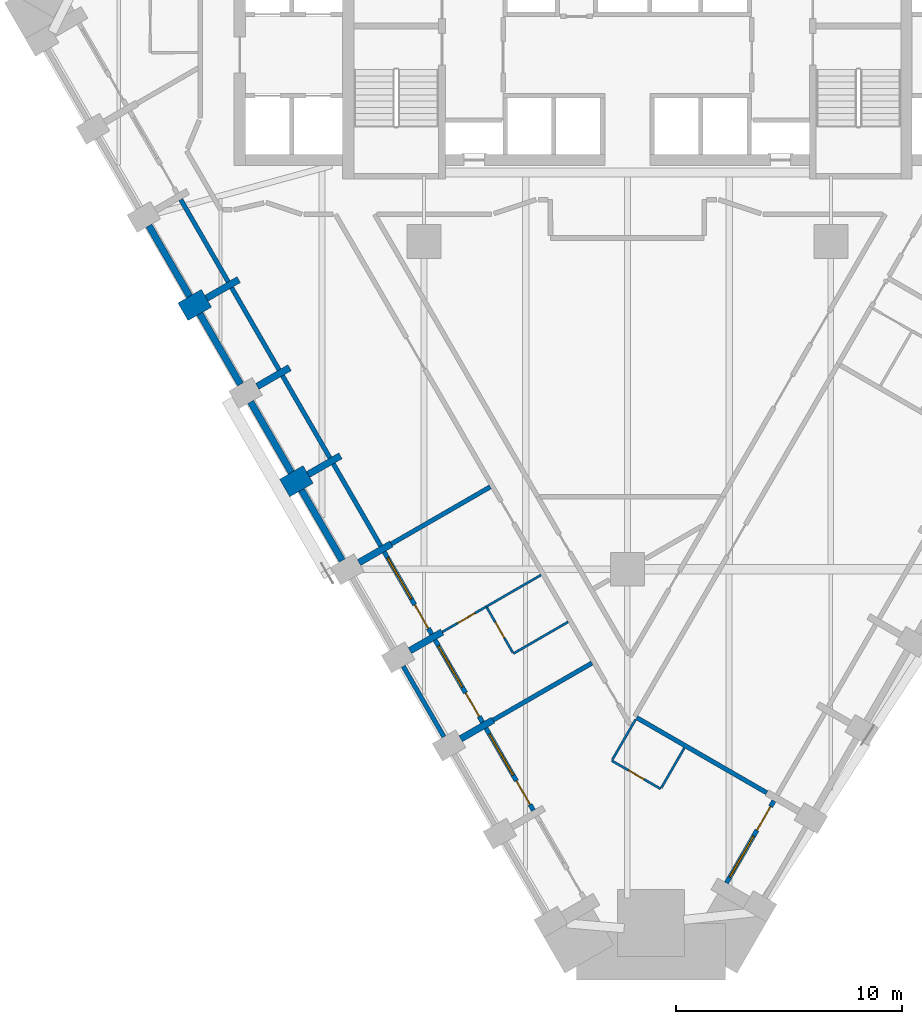
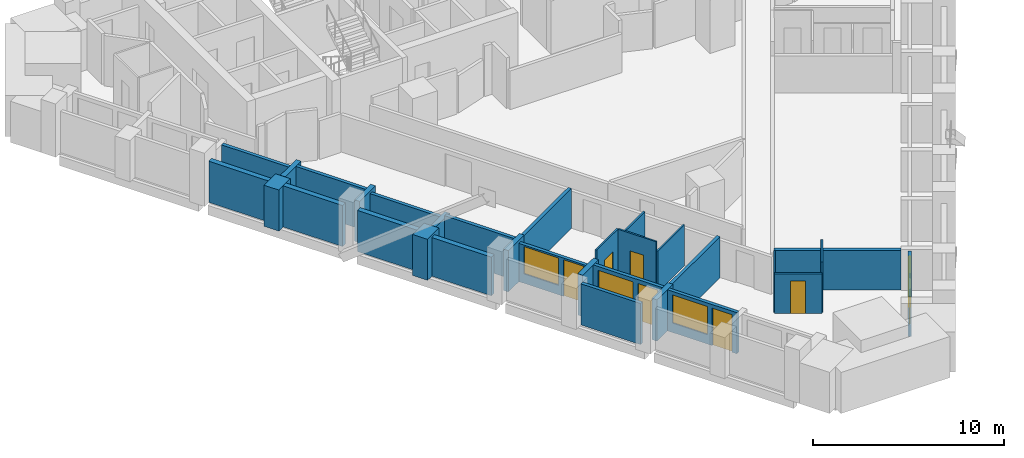
# One storey, part 3 of 10: 31 walls, 7 doors, 4 windows, 11 openings.
"""IFC4 building model written with IfcOpenShell, lengths in metres."""

from ifc_helpers import new_model, si_unit, direction, frame, frame_2d, origin, place, context, subcontext, project, spatial, rectangle, extrude, material, layer, layer_set, type_object, element, fill, save


model = new_model("IFC4")

# Units and contexts
model_context = context("Model", 3, precision=1e-05, world=origin(), true_north=direction((0.0, 1.0)))
body_context = subcontext(model_context, "Body", "Model", "MODEL_VIEW")
ifc_project = project(units=[si_unit("LENGTHUNIT", "METRE"), si_unit("AREAUNIT", "SQUARE_METRE"), si_unit("VOLUMEUNIT", "CUBIC_METRE"), si_unit("PLANEANGLEUNIT", "RADIAN"), si_unit("MASSUNIT", "GRAM", prefix="KILO")], contexts=[model_context])

# Site, building, storey
site_placement = place(None, origin())
site = spatial("IfcSite", under=ifc_project, at=site_placement, CompositionType="ELEMENT")
building_placement = place(site_placement, origin())
building = spatial("IfcBuilding", under=site, at=building_placement, Name="Calabash Gate Tower", CompositionType="ELEMENT")
storey_placement = place(building_placement, frame((0.0, 0.0, 105.39990234375)))
storey = spatial("IfcBuildingStorey", under=building, at=storey_placement, Name="L23", CompositionType="ELEMENT", Elevation=105.39990234375)

# Walls
ifc_material_1 = material(Name="Terracotta brick masonry, exposed face", Category="masonry")
ifc_layer_1 = layer(ifc_material_1, 1.199951171875)
ifc_layer_set_1 = layer_set([ifc_layer_1], Name="Brick end wall 1200")
wall_type_1 = type_object("IfcWallType", Name="Brick end wall 1200", PredefinedType="SOLIDWALL", material=ifc_layer_set_1)
wall_1_placement = place(storey_placement, frame((-19.659423828125, -0.613525390625, 0.0), z_axis=(0.0, 0.0, 1.0), x_axis=(0.866043267704, 0.499969057507, 0.0)))
element("IfcWall", 1, at=wall_1_placement, inside=storey, type_object=wall_type_1, Name="Brick pier S06 SW0.3", PredefinedType="SOLIDWALL", context=body_context, shape_type="SweptSolid", body=[
    extrude(rectangle(XDim=1.19970703125, YDim=0.89990234375, at=frame_2d((0.599853515625, 0.0))), origin(), (0.0, 0.0, 1.0), 2.630126953125),
])
wall_2_placement = place(storey_placement, frame((-14.120361328125, -7.807861328125, 0.0), z_axis=(0.0, 0.0, 1.0), x_axis=(-0.865955154139, -0.50012165622, 0.0)))
element("IfcWall", 2, at=wall_2_placement, inside=storey, type_object=wall_type_1, Name="Brick pier S06 SW0.5", PredefinedType="SOLIDWALL", context=body_context, shape_type="SweptSolid", body=[
    extrude(rectangle(XDim=1.199951171875, YDim=0.89990234375, at=frame_2d((0.60009765625, 0.0))), origin(), (0.0, 0.0, 1.0), 2.630126953125),
])
ifc_material_2 = material(Name="Terracotta brick masonry, exposed face", Category="masonry")
ifc_layer_2 = layer(ifc_material_2, 0.300048828125)
ifc_layer_set_2 = layer_set([ifc_layer_2], Name="Brick infill panel wall 300")
wall_type_2 = type_object("IfcWallType", Name="Brick infill panel wall 300", PredefinedType="SOLIDWALL", material=ifc_layer_set_2)
wall_3_placement = place(storey_placement, frame((-21.164794921875, 3.193359375, 0.0), z_axis=(0.0, 0.0, 1.0), x_axis=(0.50001992892, -0.866013897511, 0.0)))
element("IfcWall", 3, at=wall_3_placement, inside=storey, type_object=wall_type_2, Name="Brick panel S06 SW0.3", PredefinedType="SOLIDWALL", context=body_context, shape_type="SweptSolid", body=[
    extrude(rectangle(XDim=3.599365234375, YDim=0.300048828125, at=frame_2d((1.7998046875, 0.0))), origin(), (0.0, 0.0, 1.0), 2.630126953125),
])
wall_4_placement = place(storey_placement, frame((-18.914794921875, -0.703369140625, 0.0), z_axis=(0.0, 0.0, 1.0), x_axis=(0.499961193289, -0.866047807691, 0.0)))
element("IfcWall", 4, at=wall_4_placement, inside=storey, type_object=wall_type_2, Name="Brick panel S06 SW0.4", PredefinedType="SOLIDWALL", context=body_context, shape_type="SweptSolid", body=[
    extrude(rectangle(XDim=3.599853515625, YDim=0.300048828125, at=frame_2d((1.7998046875, 0.0))), origin(), (0.0, 0.0, 1.0), 2.630126953125),
])
wall_5_placement = place(storey_placement, frame((-16.664794921875, -4.600341796875, 0.0), z_axis=(0.0, 0.0, 1.0), x_axis=(0.499931829785, -0.866064758299, 0.0)))
element("IfcWall", 5, at=wall_5_placement, inside=storey, type_object=wall_type_2, Name="Brick panel S06 SW0.5", PredefinedType="SOLIDWALL", context=body_context, shape_type="SweptSolid", body=[
    extrude(rectangle(XDim=3.60009765625, YDim=0.300048828125, at=frame_2d((1.800048828125, 0.0))), origin(), (0.0, 0.0, 1.0), 2.630126953125),
])
wall_6_placement = place(storey_placement, frame((-14.414794921875, -8.49755859375, 0.0), z_axis=(0.0, 0.0, 1.0), x_axis=(0.499984792966, -0.866034183392, 0.0)))
element("IfcWall", 6, at=wall_6_placement, inside=storey, type_object=wall_type_2, Name="Brick panel S06 SW0.6", PredefinedType="SOLIDWALL", context=body_context, shape_type="SweptSolid", body=[
    extrude(rectangle(XDim=3.59814453125, YDim=0.300048828125, at=frame_2d((1.799072265625, 0.0))), origin(), (0.0, 0.0, 1.0), 2.4736328125),
])
ifc_material_3 = material(Name="Terracotta brick masonry, exposed face", Category="masonry")
ifc_layer_3 = layer(ifc_material_3, 0.300048828125)
ifc_layer_set_3 = layer_set([ifc_layer_3], Name="Brick loggia cheek wall 300")
wall_type_3 = type_object("IfcWallType", Name="Brick loggia cheek wall 300", PredefinedType="SOLIDWALL", material=ifc_layer_set_3)
for number, where, z_axis, x_axis, name in (
    (7, (-18.620361328125, -0.013671875, 0.0), (0.0, 0.0, 1.0), (0.866040211805, 0.499974350878, 0.0), "Loggia cheek S06 SW0.3"),
    (8, (-16.370361328125, -3.91064453125, 0.0), (0.0, 0.0, 1.0), (0.866040211805, 0.499974350878, 0.0), "Loggia cheek S06 SW0.4"),
):
    element("IfcWall", number, at=place(storey_placement, frame(where, z_axis=z_axis, x_axis=x_axis)), inside=storey, type_object=wall_type_3, Name=name, PredefinedType="SOLIDWALL", context=body_context, shape_type="SweptSolid", body=[
        extrude(rectangle(XDim=1.64990234375, YDim=0.300048828125, at=frame_2d((0.824951171875, 0.0))), origin(), (0.0, 0.0, 1.0), 2.650146484375),
    ])
wall_7_placement = place(storey_placement, frame((-14.120361328125, -7.807861328125, 0.0), z_axis=(0.0, 0.0, 1.0), x_axis=(0.866040211805, 0.499974350878, 0.0)))
element("IfcWall", 9, at=wall_7_placement, inside=storey, type_object=wall_type_3, Name="Loggia cheek S06 SW0.5", PredefinedType="SOLIDWALL", context=body_context, shape_type="SweptSolid", body=[
    extrude(rectangle(XDim=1.64990234375, YDim=0.300048828125, at=frame_2d((0.824951171875, 0.0))), origin(), (0.0, 0.0, 1.0), 2.4736328125),
])
wall_8_placement = place(storey_placement, frame((-11.869384765625, -11.70458984375, 0.0), z_axis=(0.0, 0.0, 1.0), x_axis=(0.865956268984, 0.500119725873, 0.0)))
element("IfcWall", 10, at=wall_8_placement, inside=storey, type_object=wall_type_3, Name="Loggia cheek S06 SW0.6", PredefinedType="SOLIDWALL", context=body_context, shape_type="SweptSolid", body=[
    extrude(rectangle(XDim=1.64892578125, YDim=0.300048828125, at=frame_2d((0.824462890625, 0.0))), origin(), (0.0, 0.0, 1.0), 2.650146484375),
])
for number, where, z_axis, x_axis, name in (
    (11, (-9.620361328125, -15.60205078125, 0.0), (0.0, 0.0, 1.0), (0.866040211805, 0.499974350878, 0.0), "Loggia cheek S06 SW0.7"),
    (12, (-7.370361328125, -19.499267578125, 0.0), (0.0, 0.0, 1.0), (0.866040211805, 0.499974350878, 0.0), "Loggia cheek S06 SW0.8"),
):
    element("IfcWall", number, at=place(storey_placement, frame(where, z_axis=z_axis, x_axis=x_axis)), inside=storey, type_object=wall_type_3, Name=name, PredefinedType="SOLIDWALL", context=body_context, shape_type="SweptSolid", body=[
        extrude(rectangle(XDim=1.64990234375, YDim=0.300048828125, at=frame_2d((0.824951171875, 0.0))), origin(), (0.0, 0.0, 1.0), 2.650146484375),
    ])
ifc_material_4 = material(Name="Gypsum board on steel studs, mineral wool", Category="steel")
ifc_layer_4 = layer(ifc_material_4, 0.10009765625)
ifc_layer_set_4 = layer_set([ifc_layer_4], Name="Partition 100 gypsum board")
wall_type_4 = type_object("IfcWallType", Name="Partition 100 gypsum board", PredefinedType="PARTITIONING", material=ifc_layer_set_4)
wall_9_placement = place(storey_placement, frame((1.499755859375, -21.675048828125, 0.0), z_axis=(0.0, 0.0, 1.0), x_axis=(0.499303169309, 0.866427345551, 0.0)))
element("IfcWall", 13, at=wall_9_placement, inside=storey, type_object=wall_type_4, Name="Partition", PredefinedType="PARTITIONING", context=body_context, shape_type="SweptSolid", body=[
    extrude(rectangle(XDim=2.05029296875, YDim=0.10009765625, at=frame_2d((1.025146484375, 0.0))), origin(), (0.0, 0.0, 1.0), 3.22998046875),
])

# Wall, opening, door
wall_10_placement = place(storey_placement, frame((-0.690185546875, -20.46826171875, 0.0), z_axis=(0.0, 0.0, 1.0), x_axis=(0.866022959057, -0.500004234368, 0.0)))
wall_10 = element("IfcWall", 14, at=wall_10_placement, inside=storey, type_object=wall_type_4, Name="Partition", PredefinedType="PARTITIONING", context=body_context, shape_type="SweptSolid", body=[
    extrude(rectangle(XDim=2.5, YDim=0.10009765625, at=frame_2d((1.25, 0.0))), origin(), (0.0, 0.0, 1.0), 2.552001953125),
])
opening_1_placement = place(wall_10_placement, frame((0.85009765625, 0.0, 0.0)))
opening_1 = element("IfcOpeningElement", 15, at=opening_1_placement, cuts=wall_10, Name="Opening 22-24-011", PredefinedType="OPENING", context=body_context, shape_type="SweptSolid", body=[
    extrude(rectangle(XDim=0.800048828125, YDim=2.10009765625, at=frame_2d((0.39990234375, 1.050048828125))), frame((0.0, 0.06005859375, 0.0), z_axis=(0.0, -1.0, 0.0), x_axis=(1.0, 0.0, 0.0)), (0.0, 0.0, 1.0), 0.1201171875),
])
ifc_material_5 = material(Name="Painted timber door", Category="wood")
door_type_1 = type_object("IfcDoorType", Name="GD5 En-suite door 800x2100", OperationType="NOTDEFINED", PredefinedType="DOOR", material=ifc_material_5)
door_1_placement = place(opening_1_placement, origin())
door_1 = element("IfcDoor", 16, at=door_1_placement, inside=storey, type_object=door_type_1, Name="En-suite door", OperationType="SINGLE_SWING_RIGHT", OverallHeight=2.10009765625, OverallWidth=0.800048828125, PredefinedType="DOOR", context=body_context, shape_type="SweptSolid", body=[
    extrude(rectangle(XDim=0.800048828125, YDim=2.10009765625, at=frame_2d((0.39990234375, 1.050048828125))), frame((0.0, 0.02490234375, 0.0), z_axis=(0.0, -1.0, 0.0), x_axis=(1.0, 0.0, 0.0)), (0.0, 0.0, 1.0), 0.050048828125),
])
fill(opening_1, door_1)

# Walls
wall_11_placement = place(storey_placement, frame((-0.665283203125, -20.425048828125, 0.0), z_axis=(0.0, 0.0, 1.0), x_axis=(0.500646589026, 0.865651773461, 0.0)))
element("IfcWall", 17, at=wall_11_placement, inside=storey, type_object=wall_type_4, Name="Partition", PredefinedType="PARTITIONING", context=body_context, shape_type="SweptSolid", body=[
    extrude(rectangle(XDim=2.050048828125, YDim=0.10009765625, at=frame_2d((1.02490234375, 0.0))), origin(), (0.0, 0.0, 1.0), 2.552001953125),
])
wall_12_placement = place(storey_placement, frame((-5.042724609375, -15.730712890625, 0.0), z_axis=(0.0, 0.0, 1.0), x_axis=(0.865682875764, 0.500592807188, 0.0)))
element("IfcWall", 18, at=wall_12_placement, inside=storey, type_object=wall_type_4, Name="Partition", PredefinedType="PARTITIONING", context=body_context, shape_type="SweptSolid", body=[
    extrude(rectangle(XDim=2.7998046875, YDim=0.10009765625, at=frame_2d((1.39990234375, 0.0))), origin(), (0.0, 0.0, 1.0), 2.628173828125),
])

# Wall, opening, door
wall_13_placement = place(storey_placement, frame((-6.21533203125, -13.6962890625, 0.0), z_axis=(0.0, 0.0, 1.0), x_axis=(0.499418922955, -0.86636062895, 0.0)))
wall_13 = element("IfcWall", 19, at=wall_13_placement, inside=storey, type_object=wall_type_4, Name="Partition", PredefinedType="PARTITIONING", context=body_context, shape_type="SweptSolid", body=[
    extrude(rectangle(XDim=2.298095703125, YDim=0.10009765625, at=frame_2d((1.14892578125, 0.0))), origin(), (0.0, 0.0, 1.0), 3.22998046875),
])
opening_2_placement = place(wall_13_placement, frame((0.747802734375, 0.0, 0.0)))
opening_2 = element("IfcOpeningElement", 20, at=opening_2_placement, cuts=wall_13, Name="Opening 22-24-004", PredefinedType="OPENING", context=body_context, shape_type="SweptSolid", body=[
    extrude(rectangle(XDim=0.800048828125, YDim=2.10009765625, at=frame_2d((0.39990234375, 1.050048828125))), frame((0.0, 0.06005859375, 0.0), z_axis=(0.0, -1.0, 0.0), x_axis=(1.0, 0.0, 0.0)), (0.0, 0.0, 1.0), 0.1201171875),
])
door_2_placement = place(opening_2_placement, origin())
door_2 = element("IfcDoor", 21, at=door_2_placement, inside=storey, type_object=door_type_1, Name="En-suite door", OperationType="SINGLE_SWING_RIGHT", OverallHeight=2.10009765625, OverallWidth=0.800048828125, PredefinedType="DOOR", context=body_context, shape_type="SweptSolid", body=[
    extrude(rectangle(XDim=0.800048828125, YDim=2.10009765625, at=frame_2d((0.39990234375, 1.050048828125))), frame((0.0, 0.02490234375, 0.0), z_axis=(0.0, -1.0, 0.0), x_axis=(1.0, 0.0, 0.0)), (0.0, 0.0, 1.0), 0.050048828125),
])
fill(opening_2, door_2)

wall_14_placement = place(storey_placement, frame((-8.191162109375, -14.77734375, 0.0), z_axis=(0.0, 0.0, 1.0), x_axis=(0.866427577834, 0.499302766234, 0.0)))
wall_14 = element("IfcWall", 22, at=wall_14_placement, inside=storey, type_object=wall_type_4, Name="Partition", PredefinedType="PARTITIONING", context=body_context, shape_type="SweptSolid", body=[
    extrude(rectangle(XDim=2.249755859375, YDim=0.10009765625, at=frame_2d((1.125, 0.0))), origin(), (0.0, 0.0, 1.0), 3.22998046875),
])
opening_3_placement = place(wall_14_placement, frame((0.780029296875, 0.0, 0.0)))
opening_3 = element("IfcOpeningElement", 23, at=opening_3_placement, cuts=wall_14, Name="Opening 22-24-003", PredefinedType="OPENING", context=body_context, shape_type="SweptSolid", body=[
    extrude(rectangle(XDim=0.89990234375, YDim=2.10009765625, at=frame_2d((0.449951171875, 1.050048828125))), frame((0.0, 0.06005859375, 0.0), z_axis=(0.0, -1.0, 0.0), x_axis=(1.0, 0.0, 0.0)), (0.0, 0.0, 1.0), 0.1201171875),
])
ifc_material_6 = material(Name="Painted timber door", Category="wood")
door_type_2 = type_object("IfcDoorType", Name="GD7 Suite room door 900x2100", OperationType="NOTDEFINED", PredefinedType="DOOR", material=ifc_material_6)
door_3_placement = place(opening_3_placement, origin())
door_3 = element("IfcDoor", 24, at=door_3_placement, inside=storey, type_object=door_type_2, Name="Suite room door", OperationType="SINGLE_SWING_RIGHT", OverallHeight=2.10009765625, OverallWidth=0.89990234375, PredefinedType="DOOR", context=body_context, shape_type="SweptSolid", body=[
    extrude(rectangle(XDim=0.89990234375, YDim=2.10009765625, at=frame_2d((0.449951171875, 1.050048828125))), frame((0.0, 0.02490234375, 0.0), z_axis=(0.0, -1.0, 0.0), x_axis=(1.0, 0.0, 0.0)), (0.0, 0.0, 1.0), 0.050048828125),
])
fill(opening_3, door_3)

# Walls
wall_15_placement = place(storey_placement, frame((-6.240234375, -13.653076171875, 0.0), z_axis=(0.0, 0.0, 1.0), x_axis=(0.865995230276, 0.500052258409, 0.0)))
element("IfcWall", 25, at=wall_15_placement, inside=storey, type_object=wall_type_4, Name="Partition", PredefinedType="PARTITIONING", context=body_context, shape_type="SweptSolid", body=[
    extrude(rectangle(XDim=2.798095703125, YDim=0.10009765625, at=frame_2d((1.39892578125, 0.0))), origin(), (0.0, 0.0, 1.0), 2.628173828125),
])
ifc_material_7 = material(Name="Gypsum board on steel studs, mineral wool", Category="steel")
ifc_layer_5 = layer(ifc_material_7, 0.199951171875)
ifc_layer_set_5 = layer_set([ifc_layer_5], Name="Partition 200 gypsum board EI 60")
wall_type_5 = type_object("IfcWallType", Name="Partition 200 gypsum board EI 60", PredefinedType="PARTITIONING", material=ifc_layer_set_5)
wall_16_placement = place(storey_placement, frame((-5.941162109375, -18.674560546875, 0.0), z_axis=(0.0, 0.0, 1.0), x_axis=(0.866176731722, 0.499737800674, 0.0)))
element("IfcWall", 26, at=wall_16_placement, inside=storey, type_object=wall_type_5, Name="Partition", PredefinedType="PARTITIONING", context=body_context, shape_type="SweptSolid", body=[
    extrude(rectangle(XDim=5.049560546875, YDim=0.199951171875, at=frame_2d((2.52490234375, 0.0))), origin(), (0.0, 0.0, 1.0), 2.628173828125),
])
wall_17_placement = place(storey_placement, frame((0.408935546875, -18.564208984375, 0.0), z_axis=(0.0, 0.0, 1.0), x_axis=(0.866008881804, -0.500028615818, 0.0)))
element("IfcWall", 27, at=wall_17_placement, inside=storey, type_object=wall_type_5, Name="Partition", PredefinedType="PARTITIONING", context=body_context, shape_type="SweptSolid", body=[
    extrude(rectangle(XDim=6.6494140625, YDim=0.199951171875, at=frame_2d((3.32470703125, 0.0))), origin(), (0.0, 0.0, 1.0), 2.552001953125),
])
wall_18_placement = place(storey_placement, frame((-10.441162109375, -10.880126953125, 0.0), z_axis=(0.0, 0.0, 1.0), x_axis=(0.866188805601, 0.49971687289, 0.0)))
element("IfcWall", 28, at=wall_18_placement, inside=storey, type_object=wall_type_5, Name="Partition", PredefinedType="PARTITIONING", context=body_context, shape_type="SweptSolid", body=[
    extrude(rectangle(XDim=5.0498046875, YDim=0.199951171875, at=frame_2d((2.52490234375, 0.0))), origin(), (0.0, 0.0, 1.0), 2.552001953125),
])
ifc_material_8 = material(Name="Terracotta brick masonry, perforated", Category="masonry")
ifc_layer_6 = layer(ifc_material_8, 0.199951171875)
ifc_layer_set_6 = layer_set([ifc_layer_6], Name="Terracotta jaali screen B")
wall_type_6 = type_object("IfcWallType", Name="Terracotta jaali screen B", PredefinedType="SOLIDWALL", material=ifc_layer_set_6)
wall_19_placement = place(storey_placement, frame((-9.914794921875, -16.291748046875, 0.0), z_axis=(0.0, 0.0, 1.0), x_axis=(0.499961193289, -0.866047807691, 0.0)))
element("IfcWall", 29, at=wall_19_placement, inside=storey, type_object=wall_type_6, Name="SCREEN B S06 SW0.8", PredefinedType="SOLIDWALL", context=body_context, shape_type="SweptSolid", body=[
    extrude(rectangle(XDim=3.599853515625, YDim=0.199951171875, at=frame_2d((1.7998046875, 0.0))), origin(), (0.0, 0.0, 1.0), 2.630126953125),
])
ifc_material_9 = material(Name="Aluminium framed window wall with insulated spandrel", Category="aluminium")
ifc_layer_7 = layer(ifc_material_9, 0.199951171875)
ifc_layer_set_7 = layer_set([ifc_layer_7], Name="Window wall 200")
wall_type_7 = type_object("IfcWallType", Name="Window wall 200", PredefinedType="ELEMENTEDWALL", material=ifc_layer_set_7)
wall_20_placement = place(storey_placement, frame((-19.756103515625, 4.353515625, 0.0), z_axis=(0.0, 0.0, 1.0), x_axis=(0.500027713859, -0.866009402589, 0.0)))
element("IfcWall", 30, at=wall_20_placement, inside=storey, type_object=wall_type_7, Name="Window wall S06 SW0.3", PredefinedType="ELEMENTEDWALL", context=body_context, shape_type="SweptSolid", body=[
    extrude(rectangle(XDim=4.199951171875, YDim=0.199951171875, at=frame_2d((2.10009765625, 0.0))), origin(), (0.0, 0.0, 1.0), 2.4501953125),
])
wall_21_placement = place(storey_placement, frame((-17.506103515625, 0.45654296875, 0.0), z_axis=(0.0, 0.0, 1.0), x_axis=(0.500002543286, -0.866023935413, 0.0)))
element("IfcWall", 31, at=wall_21_placement, inside=storey, type_object=wall_type_7, Name="Window wall S06 SW0.4", PredefinedType="ELEMENTEDWALL", context=body_context, shape_type="SweptSolid", body=[
    extrude(rectangle(XDim=4.2001953125, YDim=0.199951171875, at=frame_2d((2.10009765625, 0.0))), origin(), (0.0, 0.0, 1.0), 2.650146484375),
])
wall_22_placement = place(storey_placement, frame((-15.256103515625, -3.440673828125, 0.0), z_axis=(0.0, 0.0, 1.0), x_axis=(0.500027713859, -0.866009402589, 0.0)))
element("IfcWall", 32, at=wall_22_placement, inside=storey, type_object=wall_type_7, Name="Window wall S06 SW0.5", PredefinedType="ELEMENTEDWALL", context=body_context, shape_type="SweptSolid", body=[
    extrude(rectangle(XDim=4.199951171875, YDim=0.199951171875, at=frame_2d((2.10009765625, 0.0))), origin(), (0.0, 0.0, 1.0), 2.4736328125),
])
wall_23_placement = place(storey_placement, frame((-13.006103515625, -7.337646484375, 0.0), z_axis=(0.0, 0.0, 1.0), x_axis=(0.500002543286, -0.866023935413, 0.0)))
element("IfcWall", 33, at=wall_23_placement, inside=storey, type_object=wall_type_7, Name="Window wall S06 SW0.6", PredefinedType="ELEMENTEDWALL", context=body_context, shape_type="SweptSolid", body=[
    extrude(rectangle(XDim=4.2001953125, YDim=0.199951171875, at=frame_2d((2.10009765625, 0.0))), origin(), (0.0, 0.0, 1.0), 2.650146484375),
])

# Wall, openings, door, window
wall_24_placement = place(storey_placement, frame((-10.756103515625, -11.23486328125, 0.0), z_axis=(0.0, 0.0, 1.0), x_axis=(0.500027713859, -0.866009402589, 0.0)))
wall_24 = element("IfcWall", 34, at=wall_24_placement, inside=storey, type_object=wall_type_7, Name="Window wall S06 SW0.7", PredefinedType="ELEMENTEDWALL", context=body_context, shape_type="SweptSolid", body=[
    extrude(rectangle(XDim=4.199951171875, YDim=0.199951171875, at=frame_2d((2.10009765625, 0.0))), origin(), (0.0, 0.0, 1.0), 2.4501953125),
])
opening_4_placement = place(wall_24_placement, frame((0.300048828125, 0.0, 0.60009765625)))
opening_4 = element("IfcOpeningElement", 35, at=opening_4_placement, cuts=wall_24, Name="Opening HW1L-1750", PredefinedType="OPENING", context=body_context, shape_type="SweptSolid", body=[
    extrude(rectangle(XDim=2.10009765625, YDim=1.75, at=frame_2d((1.050048828125, 0.875))), frame((0.0, 0.10986328125, 0.0), z_axis=(0.0, -1.0, 0.0), x_axis=(1.0, 0.0, 0.0)), (0.0, 0.0, 1.0), 0.219970703125),
])
opening_5_placement = place(wall_24_placement, frame((2.699951171875, 0.0, 0.0)))
opening_5 = element("IfcOpeningElement", 36, at=opening_5_placement, cuts=wall_24, Name="Opening H6-023", PredefinedType="OPENING", context=body_context, shape_type="SweptSolid", body=[
    extrude(rectangle(XDim=1.199951171875, YDim=2.35009765625, at=frame_2d((0.60009765625, 1.175048828125))), frame((0.0, 0.10986328125, 0.0), z_axis=(0.0, -1.0, 0.0), x_axis=(1.0, 0.0, 0.0)), (0.0, 0.0, 1.0), 0.219970703125),
])
ifc_material_10 = material(Name="Anodised aluminium frame, bronze finish, impact-rated laminated clear glazing", Category="aluminium")
door_type_3 = type_object("IfcDoorType", Name="Loggia door DH1L-2350 1200x2350", OperationType="SLIDING_TO_LEFT", PredefinedType="DOOR", material=ifc_material_10)
door_4_placement = place(opening_5_placement, origin())
door_4 = element("IfcDoor", 37, at=door_4_placement, inside=storey, type_object=door_type_3, Name="Loggia door S06 SW0.7", OperationType="SINGLE_SWING_LEFT", OverallHeight=2.35009765625, OverallWidth=1.199951171875, PredefinedType="DOOR", context=body_context, shape_type="SweptSolid", body=[
    extrude(rectangle(XDim=1.199951171875, YDim=2.35009765625, at=frame_2d((0.60009765625, 1.175048828125))), frame((0.0, 0.02490234375, 0.0), z_axis=(0.0, -1.0, 0.0), x_axis=(1.0, 0.0, 0.0)), (0.0, 0.0, 1.0), 0.050048828125),
])
fill(opening_5, door_4)
ifc_material_11 = material(Name="Anodised aluminium frame, bronze finish, impact-rated laminated clear glazing", Category="aluminium")
window_type_1 = type_object("IfcWindowType", Name="Window HW1L 2100x1750", PartitioningType="DOUBLE_PANEL_VERTICAL", PredefinedType="WINDOW", material=ifc_material_11)
window_1_placement = place(opening_4_placement, origin())
window_1 = element("IfcWindow", 38, at=window_1_placement, inside=storey, type_object=window_type_1, Name="Window HW1 S06 SW0.7", OverallHeight=1.75, OverallWidth=2.10009765625, PartitioningType="SINGLE_PANEL", PredefinedType="WINDOW", context=body_context, shape_type="SweptSolid", body=[
    extrude(rectangle(XDim=2.10009765625, YDim=1.75, at=frame_2d((1.050048828125, 0.875))), frame((0.0, 0.030029296875, 0.0), z_axis=(0.0, -1.0, 0.0), x_axis=(1.0, 0.0, 0.0)), (0.0, 0.0, 1.0), 0.06005859375),
])
fill(opening_4, window_1)

wall_25_placement = place(storey_placement, frame((-8.506103515625, -15.132080078125, 0.0), z_axis=(0.0, 0.0, 1.0), x_axis=(0.500027713859, -0.866009402589, 0.0)))
wall_25 = element("IfcWall", 39, at=wall_25_placement, inside=storey, type_object=wall_type_7, Name="Window wall S06 SW0.8", PredefinedType="ELEMENTEDWALL", context=body_context, shape_type="SweptSolid", body=[
    extrude(rectangle(XDim=4.199951171875, YDim=0.199951171875, at=frame_2d((2.10009765625, 0.0))), origin(), (0.0, 0.0, 1.0), 2.650146484375),
])
opening_6_placement = place(wall_25_placement, frame((0.300048828125, 0.0, 0.60009765625)))
opening_6 = element("IfcOpeningElement", 40, at=opening_6_placement, cuts=wall_25, Name="Opening HW1", PredefinedType="OPENING", context=body_context, shape_type="SweptSolid", body=[
    extrude(rectangle(XDim=2.10009765625, YDim=1.800048828125, at=frame_2d((1.050048828125, 0.89990234375))), frame((0.0, 0.10986328125, 0.0), z_axis=(0.0, -1.0, 0.0), x_axis=(1.0, 0.0, 0.0)), (0.0, 0.0, 1.0), 0.219970703125),
])
opening_7_placement = place(wall_25_placement, frame((2.699951171875, 0.0, 0.0)))
opening_7 = element("IfcOpeningElement", 41, at=opening_7_placement, cuts=wall_25, Name="Opening H6-024", PredefinedType="OPENING", context=body_context, shape_type="SweptSolid", body=[
    extrude(rectangle(XDim=1.199951171875, YDim=2.39990234375, at=frame_2d((0.60009765625, 1.199951171875))), frame((0.0, 0.10986328125, 0.0), z_axis=(0.0, -1.0, 0.0), x_axis=(1.0, 0.0, 0.0)), (0.0, 0.0, 1.0), 0.219970703125),
])
ifc_material_12 = material(Name="Anodised aluminium frame, bronze finish, impact-rated laminated clear glazing", Category="aluminium")
door_type_4 = type_object("IfcDoorType", Name="Loggia door DH1 1200x2400", OperationType="SLIDING_TO_LEFT", PredefinedType="DOOR", material=ifc_material_12)
door_5_placement = place(opening_7_placement, origin())
door_5 = element("IfcDoor", 42, at=door_5_placement, inside=storey, type_object=door_type_4, Name="Loggia door S06 SW0.8", OperationType="SINGLE_SWING_LEFT", OverallHeight=2.39990234375, OverallWidth=1.199951171875, PredefinedType="DOOR", context=body_context, shape_type="SweptSolid", body=[
    extrude(rectangle(XDim=1.199951171875, YDim=2.39990234375, at=frame_2d((0.60009765625, 1.199951171875))), frame((0.0, 0.02490234375, 0.0), z_axis=(0.0, -1.0, 0.0), x_axis=(1.0, 0.0, 0.0)), (0.0, 0.0, 1.0), 0.050048828125),
])
fill(opening_7, door_5)
ifc_material_13 = material(Name="Anodised aluminium frame, bronze finish, impact-rated laminated clear glazing", Category="aluminium")
window_type_2 = type_object("IfcWindowType", Name="Window HW1 2100x1800", PartitioningType="DOUBLE_PANEL_VERTICAL", PredefinedType="WINDOW", material=ifc_material_13)
window_2_placement = place(opening_6_placement, origin())
window_2 = element("IfcWindow", 43, at=window_2_placement, inside=storey, type_object=window_type_2, Name="Window HW1 S06 SW0.8", OverallHeight=1.800048828125, OverallWidth=2.10009765625, PartitioningType="SINGLE_PANEL", PredefinedType="WINDOW", context=body_context, shape_type="SweptSolid", body=[
    extrude(rectangle(XDim=2.10009765625, YDim=1.800048828125, at=frame_2d((1.050048828125, 0.89990234375))), frame((0.0, 0.030029296875, 0.0), z_axis=(0.0, -1.0, 0.0), x_axis=(1.0, 0.0, 0.0)), (0.0, 0.0, 1.0), 0.06005859375),
])
fill(opening_6, window_2)

wall_26_placement = place(storey_placement, frame((-6.256103515625, -19.029052734375, 0.0), z_axis=(0.0, 0.0, 1.0), x_axis=(0.500002543286, -0.866023935413, 0.0)))
wall_26 = element("IfcWall", 44, at=wall_26_placement, inside=storey, type_object=wall_type_7, Name="Window wall S06 SW0.9", PredefinedType="ELEMENTEDWALL", context=body_context, shape_type="SweptSolid", body=[
    extrude(rectangle(XDim=4.2001953125, YDim=0.199951171875, at=frame_2d((2.10009765625, 0.0))), origin(), (0.0, 0.0, 1.0), 2.628173828125),
])
opening_8_placement = place(wall_26_placement, frame((0.300048828125, 0.0, 0.60009765625)))
opening_8 = element("IfcOpeningElement", 45, at=opening_8_placement, cuts=wall_26, Name="Opening HW1", PredefinedType="OPENING", context=body_context, shape_type="SweptSolid", body=[
    extrude(rectangle(XDim=2.10009765625, YDim=1.800048828125, at=frame_2d((1.050048828125, 0.89990234375))), frame((0.0, 0.10986328125, 0.0), z_axis=(0.0, -1.0, 0.0), x_axis=(1.0, 0.0, 0.0)), (0.0, 0.0, 1.0), 0.219970703125),
])
opening_9_placement = place(wall_26_placement, frame((2.699951171875, 0.0, 0.0)))
opening_9 = element("IfcOpeningElement", 46, at=opening_9_placement, cuts=wall_26, Name="Opening H6-025", PredefinedType="OPENING", context=body_context, shape_type="SweptSolid", body=[
    extrude(rectangle(XDim=1.199951171875, YDim=2.39990234375, at=frame_2d((0.60009765625, 1.199951171875))), frame((0.0, 0.10986328125, 0.0), z_axis=(0.0, -1.0, 0.0), x_axis=(1.0, 0.0, 0.0)), (0.0, 0.0, 1.0), 0.219970703125),
])
door_6_placement = place(opening_9_placement, origin())
door_6 = element("IfcDoor", 47, at=door_6_placement, inside=storey, type_object=door_type_4, Name="Loggia door S06 SW0.9", OperationType="SINGLE_SWING_LEFT", OverallHeight=2.39990234375, OverallWidth=1.199951171875, PredefinedType="DOOR", context=body_context, shape_type="SweptSolid", body=[
    extrude(rectangle(XDim=1.199951171875, YDim=2.39990234375, at=frame_2d((0.60009765625, 1.199951171875))), frame((0.0, 0.02490234375, 0.0), z_axis=(0.0, -1.0, 0.0), x_axis=(1.0, 0.0, 0.0)), (0.0, 0.0, 1.0), 0.050048828125),
])
fill(opening_9, door_6)
window_3_placement = place(opening_8_placement, origin())
window_3 = element("IfcWindow", 48, at=window_3_placement, inside=storey, type_object=window_type_2, Name="Window HW1 S06 SW0.9", OverallHeight=1.800048828125, OverallWidth=2.10009765625, PartitioningType="SINGLE_PANEL", PredefinedType="WINDOW", context=body_context, shape_type="SweptSolid", body=[
    extrude(rectangle(XDim=2.10009765625, YDim=1.800048828125, at=frame_2d((1.050048828125, 0.89990234375))), frame((0.0, 0.030029296875, 0.0), z_axis=(0.0, -1.0, 0.0), x_axis=(1.0, 0.0, 0.0)), (0.0, 0.0, 1.0), 0.06005859375),
])
fill(opening_8, window_3)

wall_27_placement = place(storey_placement, frame((4.38330078125, -25.879638671875, 0.0), z_axis=(0.0, 0.0, 1.0), x_axis=(0.500002543286, 0.866023935413, 0.0)))
wall_27 = element("IfcWall", 49, at=wall_27_placement, inside=storey, type_object=wall_type_7, Name="Window wall S06 SE2.1", PredefinedType="ELEMENTEDWALL", context=body_context, shape_type="SweptSolid", body=[
    extrude(rectangle(XDim=4.2001953125, YDim=0.199951171875, at=frame_2d((2.10009765625, 0.0))), origin(), (0.0, 0.0, 1.0), 2.552001953125),
])
opening_10_placement = place(wall_27_placement, frame((0.300048828125, 0.0, 0.60009765625)))
opening_10 = element("IfcOpeningElement", 50, at=opening_10_placement, cuts=wall_27, Name="Opening HW1", PredefinedType="OPENING", context=body_context, shape_type="SweptSolid", body=[
    extrude(rectangle(XDim=2.10009765625, YDim=1.800048828125, at=frame_2d((1.050048828125, 0.89990234375))), frame((0.0, 0.10986328125, 0.0), z_axis=(0.0, -1.0, 0.0), x_axis=(1.0, 0.0, 0.0)), (0.0, 0.0, 1.0), 0.219970703125),
])
opening_11_placement = place(wall_27_placement, frame((2.699951171875, 0.0, 0.0)))
opening_11 = element("IfcOpeningElement", 51, at=opening_11_placement, cuts=wall_27, Name="Opening H6-018", PredefinedType="OPENING", context=body_context, shape_type="SweptSolid", body=[
    extrude(rectangle(XDim=1.199951171875, YDim=2.39990234375, at=frame_2d((0.60009765625, 1.199951171875))), frame((0.0, 0.10986328125, 0.0), z_axis=(0.0, -1.0, 0.0), x_axis=(1.0, 0.0, 0.0)), (0.0, 0.0, 1.0), 0.219970703125),
])
door_7_placement = place(opening_11_placement, origin())
door_7 = element("IfcDoor", 52, at=door_7_placement, inside=storey, type_object=door_type_4, Name="Loggia door S06 SE2.1", OperationType="SINGLE_SWING_LEFT", OverallHeight=2.39990234375, OverallWidth=1.199951171875, PredefinedType="DOOR", context=body_context, shape_type="SweptSolid", body=[
    extrude(rectangle(XDim=1.199951171875, YDim=2.39990234375, at=frame_2d((0.60009765625, 1.199951171875))), frame((0.0, 0.02490234375, 0.0), z_axis=(0.0, -1.0, 0.0), x_axis=(1.0, 0.0, 0.0)), (0.0, 0.0, 1.0), 0.050048828125),
])
fill(opening_11, door_7)
window_4_placement = place(opening_10_placement, origin())
window_4 = element("IfcWindow", 53, at=window_4_placement, inside=storey, type_object=window_type_2, Name="Window HW1 S06 SE2.1", OverallHeight=1.800048828125, OverallWidth=2.10009765625, PartitioningType="SINGLE_PANEL", PredefinedType="WINDOW", context=body_context, shape_type="SweptSolid", body=[
    extrude(rectangle(XDim=2.10009765625, YDim=1.800048828125, at=frame_2d((1.050048828125, 0.89990234375))), frame((0.0, 0.030029296875, 0.0), z_axis=(0.0, -1.0, 0.0), x_axis=(1.0, 0.0, 0.0)), (0.0, 0.0, 1.0), 0.06005859375),
])
fill(opening_10, window_4)

save(model, "model.ifc")
